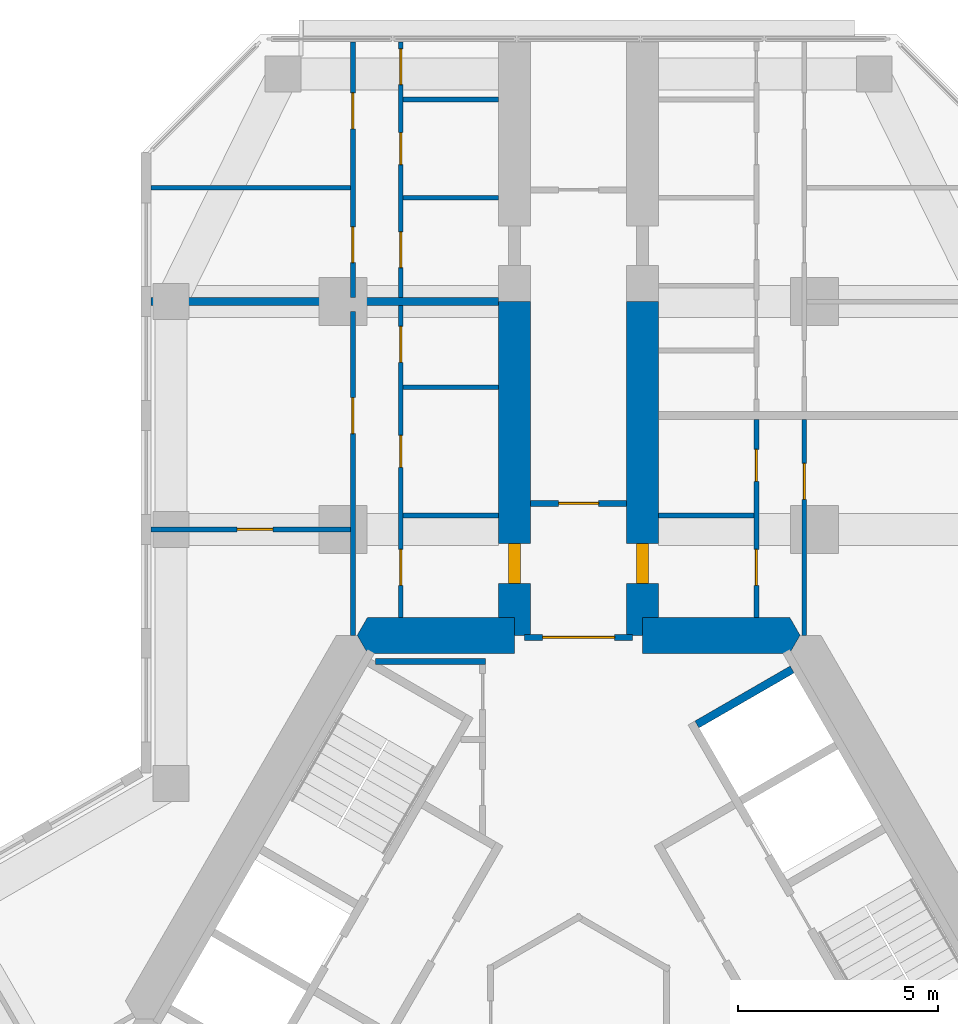
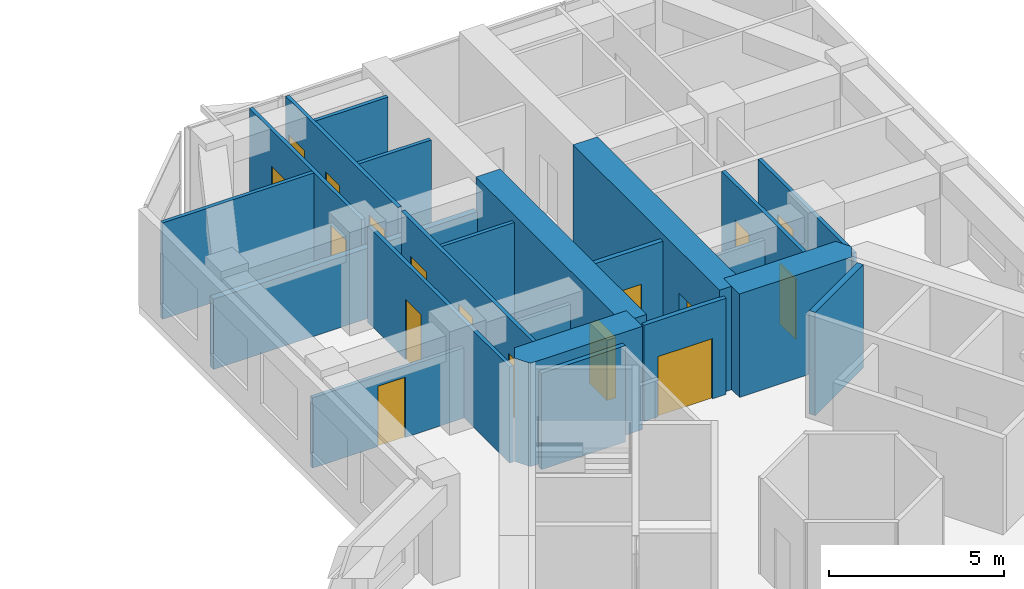
# One storey, part 17 of 20: 22 walls, 17 doors, 17 openings.
"""IFC4 building model written with IfcOpenShell, lengths in metres."""

from ifc_helpers import new_model, si_unit, direction, frame, frame_2d, origin, place, context, subcontext, project, spatial, polyline, rectangle, outline, extrude, material, layer, layer_set, type_object, element, fill, save


model = new_model("IFC4")

# Units and contexts
model_context = context("Model", 3, precision=1e-05, world=origin(), true_north=direction((0.0, 1.0)))
body_context = subcontext(model_context, "Body", "Model", "MODEL_VIEW")
ifc_project = project(units=[si_unit("LENGTHUNIT", "METRE"), si_unit("AREAUNIT", "SQUARE_METRE"), si_unit("VOLUMEUNIT", "CUBIC_METRE"), si_unit("PLANEANGLEUNIT", "RADIAN"), si_unit("MASSUNIT", "GRAM", prefix="KILO")], contexts=[model_context])

# Site, building, storey
site_placement = place(None, origin())
site = spatial("IfcSite", under=ifc_project, at=site_placement, CompositionType="ELEMENT")
building_placement = place(site_placement, origin())
building = spatial("IfcBuilding", under=site, at=building_placement, Name="Kosmar Iwan School Tower", CompositionType="ELEMENT")
storey_placement = place(building_placement, frame((0.0, 0.0, 131.0)))
storey = spatial("IfcBuildingStorey", under=building, at=storey_placement, Name="L32", CompositionType="ELEMENT", Elevation=131.0)

# Walls
ifc_material_1 = material(Name="Gypsum board on steel studs, fire-rated", Category="steel")
ifc_layer_1 = layer(ifc_material_1, 0.14990234375)
ifc_layer_set_1 = layer_set([ifc_layer_1], Name="Core room partition 150")
wall_type_1 = type_object("IfcWallType", Name="Core room partition 150", PredefinedType="PARTITIONING", material=ifc_layer_set_1)
wall_1_placement = place(storey_placement, frame((-5.089599609375, 8.93994140625, 0.0), z_axis=(0.0, 0.0, 1.0), x_axis=(1.0, 0.0, 0.0)))
element("IfcWall", 1, at=wall_1_placement, inside=storey, type_object=wall_type_1, Name="Core room partition L32-CW3", PredefinedType="PARTITIONING", context=body_context, shape_type="SweptSolid", body=[
    extrude(rectangle(XDim=2.7646484375, YDim=0.14990234375, at=frame_2d((1.38232421875, 0.0))), origin(), (0.0, 0.0, 1.0), 3.35009765625),
])
ifc_material_2 = material(Name="Concrete C50/60", Category="concrete")
ifc_layer_2 = layer(ifc_material_2, 0.89990234375)
ifc_layer_set_2 = layer_set([ifc_layer_2], Name="Core wall 900")
wall_type_2 = type_object("IfcWallType", Name="Core wall 900", PredefinedType="SHEAR", material=ifc_layer_set_2)
wall_2_placement = place(storey_placement, origin())
element("IfcWall", 2, at=wall_2_placement, inside=storey, type_object=wall_type_2, Name="Core wall F090a", PredefinedType="SHEAR", context=body_context, shape_type="SweptSolid", body=[
    extrude(outline(polyline([(1.60009765625, 9.14990234375), (5.28271484375, 9.14990234375), (5.54248046875, 9.60009765625), (5.28271484375, 10.050048828125), (1.60009765625, 10.050048828125), (1.60009765625, 9.14990234375)])), origin(), (0.0, 0.0, 1.0), 3.60009765625),
])
wall_3_placement = place(storey_placement, origin())
element("IfcWall", 3, at=wall_3_placement, inside=storey, type_object=wall_type_2, Name="Core wall F090b", PredefinedType="SHEAR", context=body_context, shape_type="SweptSolid", body=[
    extrude(outline(polyline([(-5.28271484375, 9.14990234375), (-1.60009765625, 9.14990234375), (-1.60009765625, 10.050048828125), (-5.28271484375, 10.050048828125), (-5.54248046875, 9.60009765625), (-5.28271484375, 9.14990234375)])), origin(), (0.0, 0.0, 1.0), 3.60009765625),
])

# Wall, opening, door
ifc_material_3 = material(Name="Concrete C50/60", Category="concrete")
ifc_layer_3 = layer(ifc_material_3, 0.800048828125)
ifc_layer_set_3 = layer_set([ifc_layer_3], Name="Corridor buttress wall 800")
wall_type_3 = type_object("IfcWallType", Name="Corridor buttress wall 800", PredefinedType="SHEAR", material=ifc_layer_set_3)
wall_4_placement = place(storey_placement, frame((-1.60009765625, 9.60009765625, 0.0), z_axis=(0.0, 0.0, 1.0), x_axis=(0.0, 1.0, 0.0)))
wall_4 = element("IfcWall", 4, at=wall_4_placement, inside=storey, type_object=wall_type_3, Name="Corridor wall AL", PredefinedType="SHEAR", context=body_context, shape_type="SweptSolid", body=[
    extrude(rectangle(XDim=8.349853515625, YDim=0.800048828125, at=frame_2d((4.1748046875, 0.0))), origin(), (0.0, 0.0, 1.0), 3.60009765625),
])
opening_1_placement = place(wall_4_placement, frame((1.300048828125, 0.0, 0.0)))
opening_1 = element("IfcOpeningElement", 5, at=opening_1_placement, cuts=wall_4, Name="Opening D1", PredefinedType="OPENING", context=body_context, shape_type="SweptSolid", body=[
    extrude(rectangle(XDim=1.0, YDim=2.10009765625, at=frame_2d((0.5, 1.050048828125))), frame((0.0, 0.412109375, 0.0), z_axis=(0.0, -1.0, 0.0), x_axis=(1.0, 0.0, 0.0)), (0.0, 0.0, 1.0), 0.823974609375),
])
ifc_material_4 = material(Name="Timber fire door in steel frame", Category="steel")
door_type_1 = type_object("IfcDoorType", Name="Flat entrance door 1000x2100", OperationType="SINGLE_SWING_LEFT", PredefinedType="DOOR", material=ifc_material_4)
door_1_placement = place(opening_1_placement, origin())
door_1 = element("IfcDoor", 6, at=door_1_placement, inside=storey, type_object=door_type_1, Name="Flat L32-AL1 entrance door", OperationType="SINGLE_SWING_RIGHT", OverallHeight=2.10009765625, OverallWidth=1.0, PredefinedType="DOOR", context=body_context, shape_type="SweptSolid", body=[
    extrude(rectangle(XDim=1.0, YDim=2.10009765625, at=frame_2d((0.5, 1.050048828125))), frame((0.0, 0.14990234375, 0.0), z_axis=(0.0, -1.0, 0.0), x_axis=(1.0, 0.0, 0.0)), (0.0, 0.0, 1.0), 0.300048828125),
])
fill(opening_1, door_1)

wall_5_placement = place(storey_placement, frame((1.60009765625, 9.60009765625, 0.0), z_axis=(0.0, 0.0, 1.0), x_axis=(0.0, 1.0, 0.0)))
wall_5 = element("IfcWall", 7, at=wall_5_placement, inside=storey, type_object=wall_type_3, Name="Corridor wall AR", PredefinedType="SHEAR", context=body_context, shape_type="SweptSolid", body=[
    extrude(rectangle(XDim=8.349853515625, YDim=0.800048828125, at=frame_2d((4.1748046875, 0.0))), origin(), (0.0, 0.0, 1.0), 3.60009765625),
])
opening_2_placement = place(wall_5_placement, frame((1.300048828125, 0.0, 0.0)))
opening_2 = element("IfcOpeningElement", 8, at=opening_2_placement, cuts=wall_5, Name="Opening D1", PredefinedType="OPENING", context=body_context, shape_type="SweptSolid", body=[
    extrude(rectangle(XDim=1.0, YDim=2.10009765625, at=frame_2d((0.5, 1.050048828125))), frame((0.0, 0.412109375, 0.0), z_axis=(0.0, -1.0, 0.0), x_axis=(1.0, 0.0, 0.0)), (0.0, 0.0, 1.0), 0.823974609375),
])
door_2_placement = place(opening_2_placement, origin())
door_2 = element("IfcDoor", 9, at=door_2_placement, inside=storey, type_object=door_type_1, Name="Flat L32-AR1 entrance door", OperationType="SINGLE_SWING_RIGHT", OverallHeight=2.10009765625, OverallWidth=1.0, PredefinedType="DOOR", context=body_context, shape_type="SweptSolid", body=[
    extrude(rectangle(XDim=1.0, YDim=2.10009765625, at=frame_2d((0.5, 1.050048828125))), frame((0.0, 0.14990234375, 0.0), z_axis=(0.0, -1.0, 0.0), x_axis=(1.0, 0.0, 0.0)), (0.0, 0.0, 1.0), 0.300048828125),
])
fill(opening_2, door_2)

ifc_material_5 = material(Name="Gypsum board on steel studs, fire-rated", Category="steel")
ifc_layer_4 = layer(ifc_material_5, 0.14990234375)
ifc_layer_set_4 = layer_set([ifc_layer_4], Name="Corridor end wall 150")
wall_type_4 = type_object("IfcWallType", Name="Corridor end wall 150", PredefinedType="PARTITIONING", material=ifc_layer_set_4)
wall_6_placement = place(storey_placement, frame((1.199951171875, 12.89990234375, 0.0), z_axis=(0.0, 0.0, 1.0), x_axis=(-1.0, 0.0, 0.0)))
wall_6 = element("IfcWall", 10, at=wall_6_placement, inside=storey, type_object=wall_type_4, Name="Partition L32-A-HW", PredefinedType="PARTITIONING", context=body_context, shape_type="SweptSolid", body=[
    extrude(rectangle(XDim=2.39990234375, YDim=0.14990234375, at=frame_2d((1.199951171875, 0.0))), origin(), (0.0, 0.0, 1.0), 3.35009765625),
])
opening_3_placement = place(wall_6_placement, frame((0.699951171875, 0.0, 0.0)))
opening_3 = element("IfcOpeningElement", 11, at=opening_3_placement, cuts=wall_6, Name="Opening D13", PredefinedType="OPENING", context=body_context, shape_type="SweptSolid", body=[
    extrude(rectangle(XDim=1.0, YDim=2.10009765625, at=frame_2d((0.5, 1.050048828125))), frame((0.0, 0.0869140625, 0.0), z_axis=(0.0, -1.0, 0.0), x_axis=(1.0, 0.0, 0.0)), (0.0, 0.0, 1.0), 0.173828125),
])
ifc_material_6 = material(Name="Timber fire door with vision panel", Category="wood")
door_type_2 = type_object("IfcDoorType", Name="Corridor end door 1000x2100", OperationType="SINGLE_SWING_LEFT", PredefinedType="DOOR", material=ifc_material_6)
door_3_placement = place(opening_3_placement, origin())
door_3 = element("IfcDoor", 12, at=door_3_placement, inside=storey, type_object=door_type_2, Name="Hashti door L32-A", OperationType="SINGLE_SWING_LEFT", OverallHeight=2.10009765625, OverallWidth=1.0, PredefinedType="DOOR", context=body_context, shape_type="SweptSolid", body=[
    extrude(rectangle(XDim=1.0, YDim=2.10009765625, at=frame_2d((0.5, 1.050048828125))), frame((0.0, 0.02490234375, 0.0), z_axis=(0.0, -1.0, 0.0), x_axis=(1.0, 0.0, 0.0)), (0.0, 0.0, 1.0), 0.050048828125),
])
fill(opening_3, door_3)

ifc_material_7 = material(Name="Steel framed glazed screen", Category="steel")
ifc_layer_5 = layer(ifc_material_7, 0.14990234375)
ifc_layer_set_5 = layer_set([ifc_layer_5], Name="Corridor screen wall 150")
wall_type_5 = type_object("IfcWallType", Name="Corridor screen wall 150", PredefinedType="PARTITIONING", material=ifc_layer_set_5)
wall_7_placement = place(storey_placement, frame((1.35009765625, 9.550048828125, 0.0), z_axis=(0.0, 0.0, 1.0), x_axis=(-1.0, 0.0, 0.0)))
wall_7 = element("IfcWall", 13, at=wall_7_placement, inside=storey, type_object=wall_type_5, Name="Corridor screen A L32", PredefinedType="PARTITIONING", context=body_context, shape_type="SweptSolid", body=[
    extrude(rectangle(XDim=2.7001953125, YDim=0.14990234375, at=frame_2d((1.35009765625, 0.0))), origin(), (0.0, 0.0, 1.0), 3.35009765625),
])
opening_4_placement = place(wall_7_placement, frame((0.449951171875, 0.0, 0.0)))
opening_4 = element("IfcOpeningElement", 14, at=opening_4_placement, cuts=wall_7, Name="Opening D9", PredefinedType="OPENING", context=body_context, shape_type="SweptSolid", body=[
    extrude(rectangle(XDim=1.800048828125, YDim=2.10009765625, at=frame_2d((0.89990234375, 1.050048828125))), frame((0.0, 0.0869140625, 0.0), z_axis=(0.0, -1.0, 0.0), x_axis=(1.0, 0.0, 0.0)), (0.0, 0.0, 1.0), 0.173828125),
])
ifc_material_8 = material(Name="Steel framed glazed smoke door", Category="steel")
door_type_3 = type_object("IfcDoorType", Name="Corridor smoke door pair 1800x2100", OperationType="DOUBLE_DOOR_DOUBLE_SWING", PredefinedType="DOOR", material=ifc_material_8)
door_4_placement = place(opening_4_placement, origin())
door_4 = element("IfcDoor", 15, at=door_4_placement, inside=storey, type_object=door_type_3, Name="Corridor doors A L32", OperationType="DOUBLE_DOOR_DOUBLE_SWING", OverallHeight=2.10009765625, OverallWidth=1.800048828125, PredefinedType="DOOR", context=body_context, shape_type="SweptSolid", body=[
    extrude(rectangle(XDim=1.800048828125, YDim=2.10009765625, at=frame_2d((0.89990234375, 1.050048828125))), frame((0.0, 0.02490234375, 0.0), z_axis=(0.0, -1.0, 0.0), x_axis=(1.0, 0.0, 0.0)), (0.0, 0.0, 1.0), 0.050048828125),
])
fill(opening_4, door_4)

# Wall, openings, doors
ifc_material_9 = material(Name="Gypsum board on steel studs", Category="steel")
ifc_layer_6 = layer(ifc_material_9, 0.1201171875)
ifc_layer_set_6 = layer_set([ifc_layer_6], Name="Dwelling partition 120")
wall_type_6 = type_object("IfcWallType", Name="Dwelling partition 120", PredefinedType="PARTITIONING", material=ifc_layer_set_6)
wall_8_placement = place(storey_placement, frame((-4.449951171875, 10.050048828125, 0.0), z_axis=(0.0, 0.0, 1.0), x_axis=(0.0, 1.0, 0.0)))
wall_8 = element("IfcWall", 16, at=wall_8_placement, inside=storey, type_object=wall_type_6, Name="Partition L32-AL1-W1", PredefinedType="PARTITIONING", context=body_context, shape_type="SweptSolid", body=[
    extrude(rectangle(XDim=7.800048828125, YDim=0.1201171875, at=frame_2d((3.89990234375, 0.0))), origin(), (0.0, 0.0, 1.0), 3.35009765625),
])
opening_5_placement = place(wall_8_placement, frame((0.800048828125, 0.0, 0.0)))
opening_5 = element("IfcOpeningElement", 17, at=opening_5_placement, cuts=wall_8, Name="Opening D2", PredefinedType="OPENING", context=body_context, shape_type="SweptSolid", body=[
    extrude(rectangle(XDim=0.89990234375, YDim=2.10009765625, at=frame_2d((0.449951171875, 1.050048828125))), frame((0.0, 0.072021484375, 0.0), z_axis=(0.0, -1.0, 0.0), x_axis=(1.0, 0.0, 0.0)), (0.0, 0.0, 1.0), 0.14404296875),
])
opening_6_placement = place(wall_8_placement, frame((3.755126953125, 0.0, 0.0)))
opening_6 = element("IfcOpeningElement", 18, at=opening_6_placement, cuts=wall_8, Name="Opening D3", PredefinedType="OPENING", context=body_context, shape_type="SweptSolid", body=[
    extrude(rectangle(XDim=0.800048828125, YDim=2.10009765625, at=frame_2d((0.39990234375, 1.050048828125))), frame((0.0, 0.072021484375, 0.0), z_axis=(0.0, -1.0, 0.0), x_axis=(1.0, 0.0, 0.0)), (0.0, 0.0, 1.0), 0.14404296875),
])
opening_7_placement = place(wall_8_placement, frame((6.380126953125, 0.0, 0.0)))
opening_7 = element("IfcOpeningElement", 19, at=opening_7_placement, cuts=wall_8, Name="Opening D2", PredefinedType="OPENING", context=body_context, shape_type="SweptSolid", body=[
    extrude(rectangle(XDim=0.89990234375, YDim=2.10009765625, at=frame_2d((0.449951171875, 1.050048828125))), frame((0.0, 0.072021484375, 0.0), z_axis=(0.0, -1.0, 0.0), x_axis=(1.0, 0.0, 0.0)), (0.0, 0.0, 1.0), 0.14404296875),
])
ifc_material_10 = material(Name="Timber door in timber frame", Category="wood")
door_type_4 = type_object("IfcDoorType", Name="Internal door 900x2100", OperationType="SINGLE_SWING_LEFT", PredefinedType="DOOR", material=ifc_material_10)
door_5_placement = place(opening_5_placement, origin())
door_5 = element("IfcDoor", 20, at=door_5_placement, inside=storey, type_object=door_type_4, Name="Entrance hall door L32-AL1-S1", OperationType="SINGLE_SWING_LEFT", OverallHeight=2.10009765625, OverallWidth=0.89990234375, PredefinedType="DOOR", context=body_context, shape_type="SweptSolid", body=[
    extrude(rectangle(XDim=0.89990234375, YDim=2.10009765625, at=frame_2d((0.449951171875, 1.050048828125))), frame((0.0, 0.02490234375, 0.0), z_axis=(0.0, -1.0, 0.0), x_axis=(1.0, 0.0, 0.0)), (0.0, 0.0, 1.0), 0.050048828125),
])
fill(opening_5, door_5)
door_6_placement = place(opening_7_placement, origin())
door_6 = element("IfcDoor", 21, at=door_6_placement, inside=storey, type_object=door_type_4, Name="Pantry door L32-AL1-S3", OperationType="SINGLE_SWING_RIGHT", OverallHeight=2.10009765625, OverallWidth=0.89990234375, PredefinedType="DOOR", context=body_context, shape_type="SweptSolid", body=[
    extrude(rectangle(XDim=0.89990234375, YDim=2.10009765625, at=frame_2d((0.449951171875, 1.050048828125))), frame((0.0, 0.02490234375, 0.0), z_axis=(0.0, -1.0, 0.0), x_axis=(1.0, 0.0, 0.0)), (0.0, 0.0, 1.0), 0.050048828125),
])
fill(opening_7, door_6)
ifc_material_11 = material(Name="Timber door in timber frame", Category="wood")
door_type_5 = type_object("IfcDoorType", Name="Sanitary room door 800x2100", OperationType="SINGLE_SWING_LEFT", PredefinedType="DOOR", material=ifc_material_11)
door_7_placement = place(opening_6_placement, origin())
door_7 = element("IfcDoor", 22, at=door_7_placement, inside=storey, type_object=door_type_5, Name="Bathroom door L32-AL1-S2", OperationType="SINGLE_SWING_RIGHT", OverallHeight=2.10009765625, OverallWidth=0.800048828125, PredefinedType="DOOR", context=body_context, shape_type="SweptSolid", body=[
    extrude(rectangle(XDim=0.800048828125, YDim=2.10009765625, at=frame_2d((0.39990234375, 1.050048828125))), frame((0.0, 0.02490234375, 0.0), z_axis=(0.0, -1.0, 0.0), x_axis=(1.0, 0.0, 0.0)), (0.0, 0.0, 1.0), 0.050048828125),
])
fill(opening_6, door_7)

# Wall, opening, door
wall_9_placement = place(storey_placement, frame((-5.64990234375, 9.60009765625, 0.0), z_axis=(0.0, 0.0, 1.0), x_axis=(0.0, 1.0, 0.0)))
wall_9 = element("IfcWall", 23, at=wall_9_placement, inside=storey, type_object=wall_type_6, Name="Partition L32-AL1-W2", PredefinedType="PARTITIONING", context=body_context, shape_type="SweptSolid", body=[
    extrude(rectangle(XDim=8.099853515625, YDim=0.1201171875, at=frame_2d((4.0498046875, 0.0))), origin(), (0.0, 0.0, 1.0), 3.35009765625),
])
opening_8_placement = place(wall_9_placement, frame((5.050048828125, 0.0, 0.0)))
opening_8 = element("IfcOpeningElement", 24, at=opening_8_placement, cuts=wall_9, Name="Opening D2", PredefinedType="OPENING", context=body_context, shape_type="SweptSolid", body=[
    extrude(rectangle(XDim=0.89990234375, YDim=2.10009765625, at=frame_2d((0.449951171875, 1.050048828125))), frame((0.0, 0.072021484375, 0.0), z_axis=(0.0, -1.0, 0.0), x_axis=(1.0, 0.0, 0.0)), (0.0, 0.0, 1.0), 0.14404296875),
])
door_8_placement = place(opening_8_placement, origin())
door_8 = element("IfcDoor", 25, at=door_8_placement, inside=storey, type_object=door_type_4, Name="Studio living room door L32-AL1-F2", OperationType="SINGLE_SWING_RIGHT", OverallHeight=2.10009765625, OverallWidth=0.89990234375, PredefinedType="DOOR", context=body_context, shape_type="SweptSolid", body=[
    extrude(rectangle(XDim=0.89990234375, YDim=2.10009765625, at=frame_2d((0.449951171875, 1.050048828125))), frame((0.0, 0.02490234375, 0.0), z_axis=(0.0, -1.0, 0.0), x_axis=(1.0, 0.0, 0.0)), (0.0, 0.0, 1.0), 0.050048828125),
])
fill(opening_8, door_8)

wall_10_placement = place(storey_placement, frame((-5.7099609375, 12.25, 0.0), z_axis=(0.0, 0.0, 1.0), x_axis=(-1.0, 0.0, 0.0)))
wall_10 = element("IfcWall", 26, at=wall_10_placement, inside=storey, type_object=wall_type_6, Name="Partition L32-AL1-X1", PredefinedType="PARTITIONING", context=body_context, shape_type="SweptSolid", body=[
    extrude(rectangle(XDim=4.989990234375, YDim=0.1201171875, at=frame_2d((2.4951171875, 0.0))), origin(), (0.0, 0.0, 1.0), 2.449951171875),
])
opening_9_placement = place(wall_10_placement, frame((1.93994140625, 0.0, 0.0)))
opening_9 = element("IfcOpeningElement", 27, at=opening_9_placement, cuts=wall_10, Name="Opening D2", PredefinedType="OPENING", context=body_context, shape_type="SweptSolid", body=[
    extrude(rectangle(XDim=0.89990234375, YDim=2.10009765625, at=frame_2d((0.449951171875, 1.050048828125))), frame((0.0, 0.072021484375, 0.0), z_axis=(0.0, -1.0, 0.0), x_axis=(1.0, 0.0, 0.0)), (0.0, 0.0, 1.0), 0.14404296875),
])
door_9_placement = place(opening_9_placement, origin())
door_9 = element("IfcDoor", 28, at=door_9_placement, inside=storey, type_object=door_type_4, Name="Kitchen and dining room door L32-AL1-F1", OperationType="SINGLE_SWING_LEFT", OverallHeight=2.10009765625, OverallWidth=0.89990234375, PredefinedType="DOOR", context=body_context, shape_type="SweptSolid", body=[
    extrude(rectangle(XDim=0.89990234375, YDim=2.10009765625, at=frame_2d((0.449951171875, 1.050048828125))), frame((0.0, 0.02490234375, 0.0), z_axis=(0.0, -1.0, 0.0), x_axis=(1.0, 0.0, 0.0)), (0.0, 0.0, 1.0), 0.050048828125),
])
fill(opening_9, door_9)

# Walls
wall_11_placement = place(storey_placement, frame((-2.0, 12.60009765625, 0.0), z_axis=(0.0, 0.0, 1.0), x_axis=(-1.0, 0.0, 0.0)))
element("IfcWall", 29, at=wall_11_placement, inside=storey, type_object=wall_type_6, Name="Partition L32-AL1-Y1", PredefinedType="PARTITIONING", context=body_context, shape_type="SweptSolid", body=[
    extrude(rectangle(XDim=2.389892578125, YDim=0.1201171875, at=frame_2d((1.19482421875, 0.0))), origin(), (0.0, 0.0, 1.0), 2.449951171875),
])
wall_12_placement = place(storey_placement, frame((-2.0, 15.81005859375, 0.0), z_axis=(0.0, 0.0, 1.0), x_axis=(-1.0, 0.0, 0.0)))
element("IfcWall", 30, at=wall_12_placement, inside=storey, type_object=wall_type_6, Name="Partition L32-AL1-Y2", PredefinedType="PARTITIONING", context=body_context, shape_type="SweptSolid", body=[
    extrude(rectangle(XDim=2.389892578125, YDim=0.1201171875, at=frame_2d((1.19482421875, 0.0))), origin(), (0.0, 0.0, 1.0), 3.35009765625),
])

# Wall, openings, doors
wall_13_placement = place(storey_placement, frame((-4.449951171875, 18.050048828125, 0.0), z_axis=(0.0, 0.0, 1.0), x_axis=(0.0, 1.0, 0.0)))
wall_13 = element("IfcWall", 31, at=wall_13_placement, inside=storey, type_object=wall_type_6, Name="Partition L32-AL2-W1", PredefinedType="PARTITIONING", context=body_context, shape_type="SweptSolid", body=[
    extrude(rectangle(XDim=6.39501953125, YDim=0.1201171875, at=frame_2d((3.197509765625, 0.0))), origin(), (0.0, 0.0, 1.0), 3.35009765625),
])
opening_10_placement = place(wall_13_placement, frame((0.75, 0.0, 0.0)))
opening_10 = element("IfcOpeningElement", 32, at=opening_10_placement, cuts=wall_13, Name="Opening D2", PredefinedType="OPENING", context=body_context, shape_type="SweptSolid", body=[
    extrude(rectangle(XDim=0.89990234375, YDim=2.10009765625, at=frame_2d((0.449951171875, 1.050048828125))), frame((0.0, 0.072021484375, 0.0), z_axis=(0.0, -1.0, 0.0), x_axis=(1.0, 0.0, 0.0)), (0.0, 0.0, 1.0), 0.14404296875),
])
opening_11_placement = place(wall_13_placement, frame((3.330078125, 0.0, 0.0)))
opening_11 = element("IfcOpeningElement", 33, at=opening_11_placement, cuts=wall_13, Name="Opening D3", PredefinedType="OPENING", context=body_context, shape_type="SweptSolid", body=[
    extrude(rectangle(XDim=0.800048828125, YDim=2.10009765625, at=frame_2d((0.39990234375, 1.050048828125))), frame((0.0, 0.072021484375, 0.0), z_axis=(0.0, -1.0, 0.0), x_axis=(1.0, 0.0, 0.0)), (0.0, 0.0, 1.0), 0.14404296875),
])
opening_12_placement = place(wall_13_placement, frame((5.330078125, 0.0, 0.0)))
opening_12 = element("IfcOpeningElement", 34, at=opening_12_placement, cuts=wall_13, Name="Opening D2", PredefinedType="OPENING", context=body_context, shape_type="SweptSolid", body=[
    extrude(rectangle(XDim=0.89990234375, YDim=2.10009765625, at=frame_2d((0.449951171875, 1.050048828125))), frame((0.0, 0.072021484375, 0.0), z_axis=(0.0, -1.0, 0.0), x_axis=(1.0, 0.0, 0.0)), (0.0, 0.0, 1.0), 0.14404296875),
])
door_10_placement = place(opening_10_placement, origin())
door_10 = element("IfcDoor", 35, at=door_10_placement, inside=storey, type_object=door_type_4, Name="Entrance hall door L32-AL2-S1", OperationType="SINGLE_SWING_LEFT", OverallHeight=2.10009765625, OverallWidth=0.89990234375, PredefinedType="DOOR", context=body_context, shape_type="SweptSolid", body=[
    extrude(rectangle(XDim=0.89990234375, YDim=2.10009765625, at=frame_2d((0.449951171875, 1.050048828125))), frame((0.0, 0.02490234375, 0.0), z_axis=(0.0, -1.0, 0.0), x_axis=(1.0, 0.0, 0.0)), (0.0, 0.0, 1.0), 0.050048828125),
])
fill(opening_10, door_10)
door_11_placement = place(opening_12_placement, origin())
door_11 = element("IfcDoor", 36, at=door_11_placement, inside=storey, type_object=door_type_4, Name="Pantry door L32-AL2-S3", OperationType="SINGLE_SWING_RIGHT", OverallHeight=2.10009765625, OverallWidth=0.89990234375, PredefinedType="DOOR", context=body_context, shape_type="SweptSolid", body=[
    extrude(rectangle(XDim=0.89990234375, YDim=2.10009765625, at=frame_2d((0.449951171875, 1.050048828125))), frame((0.0, 0.02490234375, 0.0), z_axis=(0.0, -1.0, 0.0), x_axis=(1.0, 0.0, 0.0)), (0.0, 0.0, 1.0), 0.050048828125),
])
fill(opening_12, door_11)
door_12_placement = place(opening_11_placement, origin())
door_12 = element("IfcDoor", 37, at=door_12_placement, inside=storey, type_object=door_type_5, Name="Bathroom door L32-AL2-S2", OperationType="SINGLE_SWING_RIGHT", OverallHeight=2.10009765625, OverallWidth=0.800048828125, PredefinedType="DOOR", context=body_context, shape_type="SweptSolid", body=[
    extrude(rectangle(XDim=0.800048828125, YDim=2.10009765625, at=frame_2d((0.39990234375, 1.050048828125))), frame((0.0, 0.02490234375, 0.0), z_axis=(0.0, -1.0, 0.0), x_axis=(1.0, 0.0, 0.0)), (0.0, 0.0, 1.0), 0.050048828125),
])
fill(opening_11, door_12)

wall_14_placement = place(storey_placement, frame((-5.64990234375, 18.050048828125, 0.0), z_axis=(0.0, 0.0, 1.0), x_axis=(0.0, 1.0, 0.0)))
wall_14 = element("IfcWall", 38, at=wall_14_placement, inside=storey, type_object=wall_type_6, Name="Partition L32-AL2-W2", PredefinedType="PARTITIONING", context=body_context, shape_type="SweptSolid", body=[
    extrude(rectangle(XDim=6.39501953125, YDim=0.1201171875, at=frame_2d((3.197509765625, 0.0))), origin(), (0.0, 0.0, 1.0), 3.35009765625),
])
opening_13_placement = place(wall_14_placement, frame((0.875, 0.0, 0.0)))
opening_13 = element("IfcOpeningElement", 39, at=opening_13_placement, cuts=wall_14, Name="Opening D2", PredefinedType="OPENING", context=body_context, shape_type="SweptSolid", body=[
    extrude(rectangle(XDim=0.89990234375, YDim=2.10009765625, at=frame_2d((0.449951171875, 1.050048828125))), frame((0.0, 0.072021484375, 0.0), z_axis=(0.0, -1.0, 0.0), x_axis=(1.0, 0.0, 0.0)), (0.0, 0.0, 1.0), 0.14404296875),
])
opening_14_placement = place(wall_14_placement, frame((4.22509765625, 0.0, 0.0)))
opening_14 = element("IfcOpeningElement", 40, at=opening_14_placement, cuts=wall_14, Name="Opening D2", PredefinedType="OPENING", context=body_context, shape_type="SweptSolid", body=[
    extrude(rectangle(XDim=0.89990234375, YDim=2.10009765625, at=frame_2d((0.449951171875, 1.050048828125))), frame((0.0, 0.072021484375, 0.0), z_axis=(0.0, -1.0, 0.0), x_axis=(1.0, 0.0, 0.0)), (0.0, 0.0, 1.0), 0.14404296875),
])
door_13_placement = place(opening_13_placement, origin())
door_13 = element("IfcDoor", 41, at=door_13_placement, inside=storey, type_object=door_type_4, Name="Family room and kitchen door L32-AL2-F1", OperationType="SINGLE_SWING_LEFT", OverallHeight=2.10009765625, OverallWidth=0.89990234375, PredefinedType="DOOR", context=body_context, shape_type="SweptSolid", body=[
    extrude(rectangle(XDim=0.89990234375, YDim=2.10009765625, at=frame_2d((0.449951171875, 1.050048828125))), frame((0.0, 0.02490234375, 0.0), z_axis=(0.0, -1.0, 0.0), x_axis=(1.0, 0.0, 0.0)), (0.0, 0.0, 1.0), 0.050048828125),
])
fill(opening_13, door_13)
door_14_placement = place(opening_14_placement, origin())
door_14 = element("IfcDoor", 42, at=door_14_placement, inside=storey, type_object=door_type_4, Name="Bedroom 1 door L32-AL2-F2", OperationType="SINGLE_SWING_RIGHT", OverallHeight=2.10009765625, OverallWidth=0.89990234375, PredefinedType="DOOR", context=body_context, shape_type="SweptSolid", body=[
    extrude(rectangle(XDim=0.89990234375, YDim=2.10009765625, at=frame_2d((0.449951171875, 1.050048828125))), frame((0.0, 0.02490234375, 0.0), z_axis=(0.0, -1.0, 0.0), x_axis=(1.0, 0.0, 0.0)), (0.0, 0.0, 1.0), 0.050048828125),
])
fill(opening_14, door_14)

# Walls
wall_15_placement = place(storey_placement, frame((-5.7099609375, 20.800048828125, 0.0), z_axis=(0.0, 0.0, 1.0), x_axis=(-1.0, 0.0, 0.0)))
element("IfcWall", 43, at=wall_15_placement, inside=storey, type_object=wall_type_6, Name="Partition L32-AL2-X1", PredefinedType="PARTITIONING", context=body_context, shape_type="SweptSolid", body=[
    extrude(rectangle(XDim=4.989990234375, YDim=0.1201171875, at=frame_2d((2.4951171875, 0.0))), origin(), (0.0, 0.0, 1.0), 3.35009765625),
])
for number, where, z_axis, x_axis, name in (
    (44, (-2.0, 20.550048828125, 0.0), (0.0, 0.0, 1.0), (-1.0, 0.0, 0.0), "Partition L32-AL2-Y1"),
    (45, (-2.0, 23.010009765625, 0.0), (0.0, 0.0, 1.0), (-1.0, 0.0, 0.0), "Partition L32-AL2-Y2"),
):
    element("IfcWall", number, at=place(storey_placement, frame(where, z_axis=z_axis, x_axis=x_axis)), inside=storey, type_object=wall_type_6, Name=name, PredefinedType="PARTITIONING", context=body_context, shape_type="SweptSolid", body=[
        extrude(rectangle(XDim=2.389892578125, YDim=0.1201171875, at=frame_2d((1.19482421875, 0.0))), origin(), (0.0, 0.0, 1.0), 3.35009765625),
    ])

# Wall, openings, doors
wall_16_placement = place(storey_placement, frame((4.449951171875, 10.050048828125, 0.0), z_axis=(0.0, 0.0, 1.0), x_axis=(0.0, 1.0, 0.0)))
wall_16 = element("IfcWall", 46, at=wall_16_placement, inside=storey, type_object=wall_type_6, Name="Partition L32-AR1-W1", PredefinedType="PARTITIONING", context=body_context, shape_type="SweptSolid", body=[
    extrude(rectangle(XDim=4.949951171875, YDim=0.1201171875, at=frame_2d((2.47509765625, 0.0))), origin(), (0.0, 0.0, 1.0), 3.35009765625),
])
opening_15_placement = place(wall_16_placement, frame((0.800048828125, 0.0, 0.0)))
opening_15 = element("IfcOpeningElement", 47, at=opening_15_placement, cuts=wall_16, Name="Opening D2", PredefinedType="OPENING", context=body_context, shape_type="SweptSolid", body=[
    extrude(rectangle(XDim=0.89990234375, YDim=2.10009765625, at=frame_2d((0.449951171875, 1.050048828125))), frame((0.0, 0.072021484375, 0.0), z_axis=(0.0, -1.0, 0.0), x_axis=(1.0, 0.0, 0.0)), (0.0, 0.0, 1.0), 0.14404296875),
])
opening_16_placement = place(wall_16_placement, frame((3.39990234375, 0.0, 0.0)))
opening_16 = element("IfcOpeningElement", 48, at=opening_16_placement, cuts=wall_16, Name="Opening D3", PredefinedType="OPENING", context=body_context, shape_type="SweptSolid", body=[
    extrude(rectangle(XDim=0.800048828125, YDim=2.10009765625, at=frame_2d((0.39990234375, 1.050048828125))), frame((0.0, 0.072021484375, 0.0), z_axis=(0.0, -1.0, 0.0), x_axis=(1.0, 0.0, 0.0)), (0.0, 0.0, 1.0), 0.14404296875),
])
door_15_placement = place(opening_15_placement, origin())
door_15 = element("IfcDoor", 49, at=door_15_placement, inside=storey, type_object=door_type_4, Name="Entrance hall door L32-AR1-S1", OperationType="SINGLE_SWING_LEFT", OverallHeight=2.10009765625, OverallWidth=0.89990234375, PredefinedType="DOOR", context=body_context, shape_type="SweptSolid", body=[
    extrude(rectangle(XDim=0.89990234375, YDim=2.10009765625, at=frame_2d((0.449951171875, 1.050048828125))), frame((0.0, 0.02490234375, 0.0), z_axis=(0.0, -1.0, 0.0), x_axis=(1.0, 0.0, 0.0)), (0.0, 0.0, 1.0), 0.050048828125),
])
fill(opening_15, door_15)
door_16_placement = place(opening_16_placement, origin())
door_16 = element("IfcDoor", 50, at=door_16_placement, inside=storey, type_object=door_type_5, Name="Bathroom door L32-AR1-S2", OperationType="SINGLE_SWING_RIGHT", OverallHeight=2.10009765625, OverallWidth=0.800048828125, PredefinedType="DOOR", context=body_context, shape_type="SweptSolid", body=[
    extrude(rectangle(XDim=0.800048828125, YDim=2.10009765625, at=frame_2d((0.39990234375, 1.050048828125))), frame((0.0, 0.02490234375, 0.0), z_axis=(0.0, -1.0, 0.0), x_axis=(1.0, 0.0, 0.0)), (0.0, 0.0, 1.0), 0.050048828125),
])
fill(opening_16, door_16)

# Wall, opening, door
wall_17_placement = place(storey_placement, frame((5.64990234375, 9.60009765625, 0.0), z_axis=(0.0, 0.0, 1.0), x_axis=(0.0, 1.0, 0.0)))
wall_17 = element("IfcWall", 51, at=wall_17_placement, inside=storey, type_object=wall_type_6, Name="Partition L32-AR1-W2", PredefinedType="PARTITIONING", context=body_context, shape_type="SweptSolid", body=[
    extrude(rectangle(XDim=5.39990234375, YDim=0.1201171875, at=frame_2d((2.699951171875, 0.0))), origin(), (0.0, 0.0, 1.0), 3.35009765625),
])
opening_17_placement = place(wall_17_placement, frame((3.39990234375, 0.0, 0.0)))
opening_17 = element("IfcOpeningElement", 52, at=opening_17_placement, cuts=wall_17, Name="Opening D2", PredefinedType="OPENING", context=body_context, shape_type="SweptSolid", body=[
    extrude(rectangle(XDim=0.89990234375, YDim=2.10009765625, at=frame_2d((0.449951171875, 1.050048828125))), frame((0.0, 0.072021484375, 0.0), z_axis=(0.0, -1.0, 0.0), x_axis=(1.0, 0.0, 0.0)), (0.0, 0.0, 1.0), 0.14404296875),
])
door_17_placement = place(opening_17_placement, origin())
door_17 = element("IfcDoor", 53, at=door_17_placement, inside=storey, type_object=door_type_4, Name="Studio living room and kitchen door L32-AR1-F1", OperationType="SINGLE_SWING_RIGHT", OverallHeight=2.10009765625, OverallWidth=0.89990234375, PredefinedType="DOOR", context=body_context, shape_type="SweptSolid", body=[
    extrude(rectangle(XDim=0.89990234375, YDim=2.10009765625, at=frame_2d((0.449951171875, 1.050048828125))), frame((0.0, 0.02490234375, 0.0), z_axis=(0.0, -1.0, 0.0), x_axis=(1.0, 0.0, 0.0)), (0.0, 0.0, 1.0), 0.050048828125),
])
fill(opening_17, door_17)

# Walls
wall_18_placement = place(storey_placement, frame((2.0, 12.60009765625, 0.0), z_axis=(0.0, 0.0, 1.0), x_axis=(1.0, 0.0, 0.0)))
element("IfcWall", 54, at=wall_18_placement, inside=storey, type_object=wall_type_6, Name="Partition L32-AR1-Y1", PredefinedType="PARTITIONING", context=body_context, shape_type="SweptSolid", body=[
    extrude(rectangle(XDim=2.389892578125, YDim=0.1201171875, at=frame_2d((1.19482421875, 0.0))), origin(), (0.0, 0.0, 1.0), 2.449951171875),
])
ifc_material_12 = material(Name="Concrete C50/60", Category="concrete")
ifc_layer_7 = layer(ifc_material_12, 0.199951171875)
ifc_layer_set_7 = layer_set([ifc_layer_7], Name="Lift shaft wall 200")
wall_type_7 = type_object("IfcWallType", Name="Lift shaft wall 200", PredefinedType="SHEAR", material=ifc_layer_set_7)
wall_19_placement = place(storey_placement, frame((2.962646484375, 7.368408203125, 0.0), z_axis=(0.0, 0.0, 1.0), x_axis=(0.866027397988, 0.499996545922, 0.0)))
element("IfcWall", 55, at=wall_19_placement, inside=storey, type_object=wall_type_7, Name="Lift shaft wall AC 2", PredefinedType="SHEAR", context=body_context, shape_type="SweptSolid", body=[
    extrude(rectangle(XDim=2.75, YDim=0.199951171875, at=frame_2d((1.375, 0.0))), origin(), (0.0, 0.0, 1.0), 3.60009765625),
])
ifc_material_13 = material(Name="Concrete block masonry", Category="masonry")
ifc_layer_8 = layer(ifc_material_13, 0.199951171875)
ifc_layer_set_8 = layer_set([ifc_layer_8], Name="Party wall 200")
wall_type_8 = type_object("IfcWallType", Name="Party wall 200", PredefinedType="PARTITIONING", material=ifc_layer_set_8)
wall_20_placement = place(storey_placement, frame((-2.0, 17.949951171875, 0.0), z_axis=(0.0, 0.0, 1.0), x_axis=(-1.0, 0.0, 0.0)))
element("IfcWall", 56, at=wall_20_placement, inside=storey, type_object=wall_type_8, Name="Partition L32-AL2-PW", PredefinedType="PARTITIONING", context=body_context, shape_type="SweptSolid", body=[
    extrude(rectangle(XDim=8.699951171875, YDim=0.199951171875, at=frame_2d((4.35009765625, 0.0))), origin(), (0.0, 0.0, 1.0), 2.449951171875),
])

save(model, "model.ifc")
